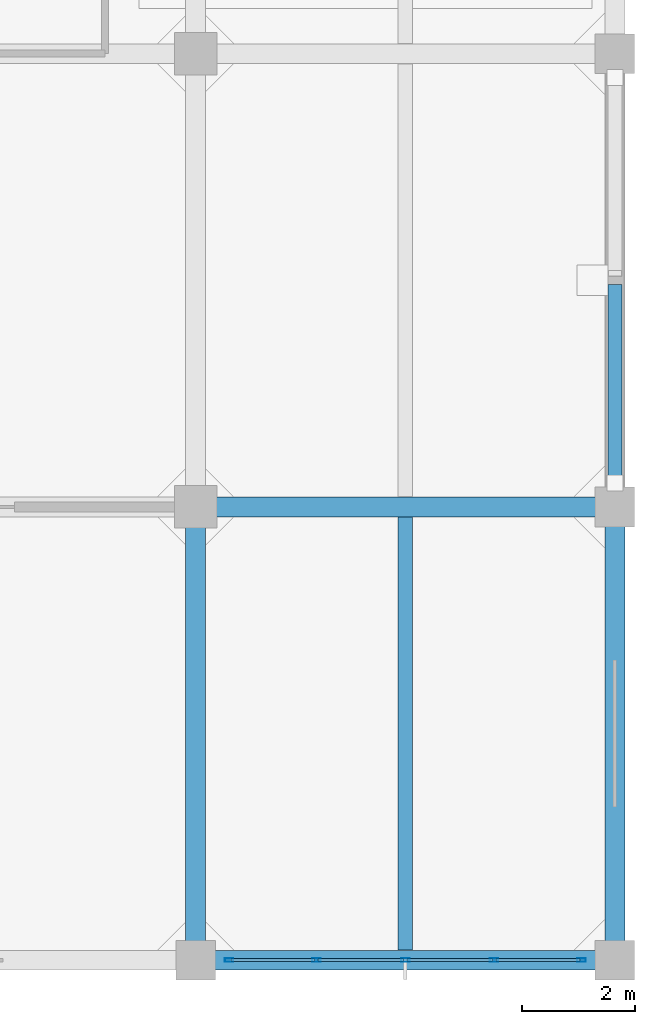
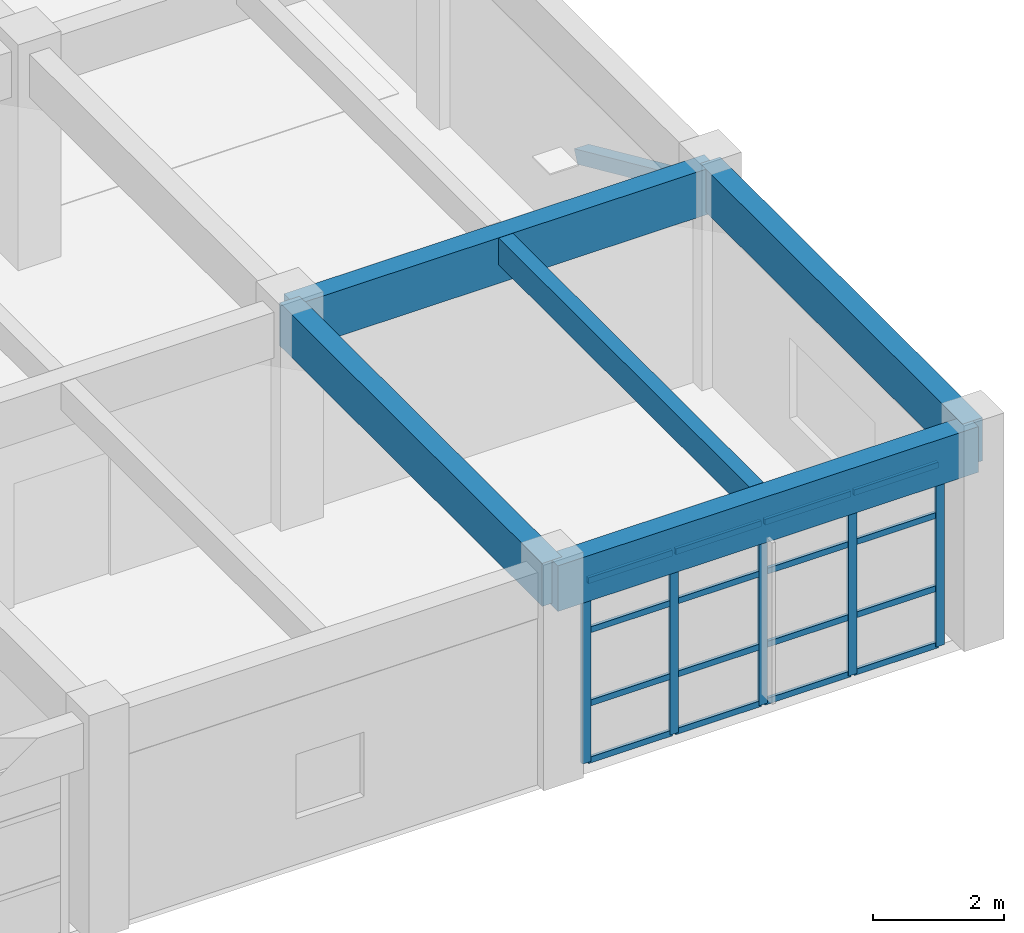
# One storey, part 10 of 27: 22 members, 5 beams, 1 element without a shape of its own.
"""IFC4 building model written with IfcOpenShell, lengths in metres."""

from ifc_helpers import new_model, si_unit, direction, frame, origin, origin_2d, place, context, subcontext, project, spatial, rectangle, hollow_rectangle, extrude, material, layer, layer_set, material_profile, profile_set, type_object, element, aggregate, save


model = new_model("IFC4")

# Units and contexts
model_context = context("Model", 3, precision=1e-05, world=origin(), true_north=direction((0.0, 1.0)))
body_context = subcontext(model_context, "Body", "Model", "MODEL_VIEW")
ifc_project = project(units=[si_unit("LENGTHUNIT", "METRE"), si_unit("AREAUNIT", "SQUARE_METRE"), si_unit("VOLUMEUNIT", "CUBIC_METRE"), si_unit("PLANEANGLEUNIT", "RADIAN"), si_unit("MASSUNIT", "GRAM", prefix="KILO")], contexts=[model_context])

# Site, building, storey
site_placement = place(None, origin())
site = spatial("IfcSite", under=ifc_project, at=site_placement, CompositionType="ELEMENT")
building_placement = place(site_placement, origin())
building = spatial("IfcBuilding", under=site, at=building_placement, Name="Canggui Botanical Conservatory", CompositionType="ELEMENT")
storey_placement = place(building_placement, frame((0.0, 0.0, 36.0)))
storey = spatial("IfcBuildingStorey", under=building, at=storey_placement, Name="L09", CompositionType="ELEMENT", Elevation=36.0)

# Beams
ifc_material_1 = material(Name="Concrete C35", Category="concrete")
ifc_material_profile_1 = material_profile(ifc_material_1, rectangle(XDim=0.25, YDim=0.5, at=origin_2d()), Name="RB 250x500")
ifc_profile_set_1 = profile_set([ifc_material_profile_1], Name="Concrete C35")
beam_type_1 = type_object("IfcBeamType", Name="BM-JST04", PredefinedType="JOIST", material=ifc_profile_set_1)
beam_placement = place(storey_placement, frame((173.699951171875, 34.179931640625, 3.7099609375), z_axis=(0.0, 1.0, 0.0), x_axis=(-1.0, 0.0, 0.0)))
element("IfcBeam", 1, at=beam_placement, inside=storey, type_object=beam_type_1, Name="Secondary Floor Joist L09-4-1", PredefinedType="JOIST", context=body_context, shape_type="SweptSolid", body=[
    extrude(rectangle(XDim=0.25, YDim=0.5, at=origin_2d()), origin(), (0.0, 0.0, 1.0), 7.64013671875),
])
ifc_material_profile_2 = material_profile(ifc_material_1, rectangle(XDim=0.35009765625, YDim=0.85009765625, at=origin_2d()), Name="RB 350x850")
ifc_profile_set_2 = profile_set([ifc_material_profile_2], Name="Concrete C35")
beam_type_2 = type_object("IfcBeamType", Name="BM-KL14", PredefinedType="BEAM", material=ifc_profile_set_2)
for number, where, z_axis, x_axis, name in (
    (2, (170.0, 34.0, 3.534912109375), (1.0, 0.0, 0.0), (0.0, 1.0, 0.0), "Frame Girder L09 Y34-4"),
    (3, (170.0, 42.0, 3.534912109375), (1.0, 0.0, 0.0), (0.0, 1.0, 0.0), "Frame Girder L09 Y42-4"),
):
    element("IfcBeam", number, at=place(storey_placement, frame(where, z_axis=z_axis, x_axis=x_axis)), inside=storey, type_object=beam_type_2, Name=name, PredefinedType="BEAM", context=body_context, shape_type="SweptSolid", body=[
        extrude(rectangle(XDim=0.35009765625, YDim=0.85009765625, at=origin_2d()), origin(), (0.0, 0.0, 1.0), 7.39990234375),
    ])
ifc_material_profile_3 = material_profile(ifc_material_1, rectangle(XDim=0.35009765625, YDim=0.800048828125, at=origin_2d()), Name="RB 350x800")
ifc_profile_set_3 = profile_set([ifc_material_profile_3], Name="Concrete C35")
beam_type_3 = type_object("IfcBeamType", Name="BM-KL15", PredefinedType="BEAM", material=ifc_profile_set_3)
for number, where, z_axis, x_axis, name in (
    (4, (170.0, 34.0, 3.56005859375), (0.0, 1.0, 0.0), (-1.0, 0.0, 0.0), "Frame Girder L09 X170-1"),
    (5, (177.39990234375, 34.0, 3.56005859375), (0.0, 1.0, 0.0), (-1.0, 0.0, 0.0), "Frame Girder L09 X178-1"),
):
    element("IfcBeam", number, at=place(storey_placement, frame(where, z_axis=z_axis, x_axis=x_axis)), inside=storey, type_object=beam_type_3, Name=name, PredefinedType="BEAM", context=body_context, shape_type="SweptSolid", body=[
        extrude(rectangle(XDim=0.35009765625, YDim=0.800048828125, at=origin_2d()), origin(), (0.0, 0.0, 1.0), 8.0),
    ])

# Curtain wall, members
ifc_material_2 = material(Name="Thermally Broken Aluminium", Category="aluminium")
ifc_layer = layer(ifc_material_2, 0.14990234375, Name="Thermally Broken Aluminium", Category="aluminium")
ifc_layer_set = layer_set([ifc_layer], Name="Thermally Broken Aluminium")
curtain_wall_type = type_object("IfcCurtainWallType", Name="CW-UNIT-C", PredefinedType="USERDEFINED", material=ifc_layer_set)
curtain_wall_placement = place(storey_placement, origin())
curtain_wall = element("IfcCurtainWall", 6, at=curtain_wall_placement, inside=storey, type_object=curtain_wall_type, Name="Facade Curtain Wall CW-TWR-L09-01", ObjectType="UNITISED CURTAIN WALL", PredefinedType="USERDEFINED")
ifc_material_profile_4 = material_profile(ifc_material_2, hollow_rectangle(XDim=0.06005859375, YDim=0.14990234375, WallThickness=0.00341796875, at=origin_2d()), Name="CWM 60x150x3.5")
ifc_profile_set_4 = profile_set([ifc_material_profile_4], Name="Thermally Broken Aluminium")
member_type_1 = type_object("IfcMemberType", Name="CWM-03", PredefinedType="MULLION", material=ifc_profile_set_4)
member_1_placement = place(storey_placement, frame((176.81005859375, 34.0, 0.0), z_axis=(0.0, 0.0, 1.0), x_axis=(0.0, -1.0, 0.0)))
member_1 = element("IfcMember", 7, at=member_1_placement, type_object=member_type_1, Name="CW-03 mullion 1", PredefinedType="MULLION", context=body_context, shape_type="SweptSolid", body=[
    extrude(hollow_rectangle(XDim=0.06005859375, YDim=0.14990234375, WallThickness=0.00341796875, at=origin_2d()), origin(), (0.0, 0.0, 1.0), 3.39990234375),
])
member_2_placement = place(storey_placement, frame((175.27001953125, 34.0, 0.0), z_axis=(0.0, 0.0, 1.0), x_axis=(0.0, -1.0, 0.0)))
member_2 = element("IfcMember", 8, at=member_2_placement, type_object=member_type_1, Name="CW-03 mullion 2", PredefinedType="MULLION", context=body_context, shape_type="SweptSolid", body=[
    extrude(hollow_rectangle(XDim=0.06005859375, YDim=0.14990234375, WallThickness=0.00341796875, at=origin_2d()), origin(), (0.0, 0.0, 1.0), 3.39990234375),
])
member_3_placement = place(storey_placement, frame((173.699951171875, 34.0, 0.0), z_axis=(0.0, 0.0, 1.0), x_axis=(0.0, -1.0, 0.0)))
member_3 = element("IfcMember", 9, at=member_3_placement, type_object=member_type_1, Name="CW-03 mullion 3", PredefinedType="MULLION", context=body_context, shape_type="SweptSolid", body=[
    extrude(hollow_rectangle(XDim=0.06005859375, YDim=0.14990234375, WallThickness=0.00341796875, at=origin_2d()), origin(), (0.0, 0.0, 1.0), 3.39990234375),
])
member_4_placement = place(storey_placement, frame((172.1298828125, 34.0, 0.0), z_axis=(0.0, 0.0, 1.0), x_axis=(0.0, -1.0, 0.0)))
member_4 = element("IfcMember", 10, at=member_4_placement, type_object=member_type_1, Name="CW-03 mullion 4", PredefinedType="MULLION", context=body_context, shape_type="SweptSolid", body=[
    extrude(hollow_rectangle(XDim=0.06005859375, YDim=0.14990234375, WallThickness=0.00341796875, at=origin_2d()), origin(), (0.0, 0.0, 1.0), 3.39990234375),
])
member_5_placement = place(storey_placement, frame((170.590087890625, 34.0, 0.0), z_axis=(0.0, 0.0, 1.0), x_axis=(0.0, -1.0, 0.0)))
member_5 = element("IfcMember", 11, at=member_5_placement, type_object=member_type_1, Name="CW-03 mullion 5", PredefinedType="MULLION", context=body_context, shape_type="SweptSolid", body=[
    extrude(hollow_rectangle(XDim=0.06005859375, YDim=0.14990234375, WallThickness=0.00341796875, at=origin_2d()), origin(), (0.0, 0.0, 1.0), 3.39990234375),
])
ifc_material_profile_5 = material_profile(ifc_material_2, hollow_rectangle(XDim=0.054931640625, YDim=0.110107421875, WallThickness=0.0029296875, at=origin_2d()), Name="CWT 55x110x3")
ifc_profile_set_5 = profile_set([ifc_material_profile_5], Name="Thermally Broken Aluminium")
member_type_2 = type_object("IfcMemberType", Name="CWT-03", PredefinedType="USERDEFINED", material=ifc_profile_set_5)
member_6_placement = place(storey_placement, frame((176.780029296875, 34.0, 0.027587890625), z_axis=(-1.0, 0.0, 0.0), x_axis=(0.0, -1.0, 0.0)))
member_6 = element("IfcMember", 12, at=member_6_placement, type_object=member_type_2, Name="CW-03 transom 1.1", ObjectType="TRANSOM", PredefinedType="USERDEFINED", context=body_context, shape_type="SweptSolid", body=[
    extrude(hollow_rectangle(XDim=0.054931640625, YDim=0.110107421875, WallThickness=0.0029296875, at=origin_2d()), origin(), (0.0, 0.0, 1.0), 1.47998046875),
])
member_7_placement = place(storey_placement, frame((176.780029296875, 34.0, 1.087890625), z_axis=(-1.0, 0.0, 0.0), x_axis=(0.0, -1.0, 0.0)))
member_7 = element("IfcMember", 13, at=member_7_placement, type_object=member_type_2, Name="CW-03 transom 1.2", ObjectType="TRANSOM", PredefinedType="USERDEFINED", context=body_context, shape_type="SweptSolid", body=[
    extrude(hollow_rectangle(XDim=0.054931640625, YDim=0.110107421875, WallThickness=0.0029296875, at=origin_2d()), origin(), (0.0, 0.0, 1.0), 1.47998046875),
])
member_8_placement = place(storey_placement, frame((176.780029296875, 34.0, 2.447998046875), z_axis=(-1.0, 0.0, 0.0), x_axis=(0.0, -1.0, 0.0)))
member_8 = element("IfcMember", 14, at=member_8_placement, type_object=member_type_2, Name="CW-03 transom 1.3", ObjectType="TRANSOM", PredefinedType="USERDEFINED", context=body_context, shape_type="SweptSolid", body=[
    extrude(hollow_rectangle(XDim=0.054931640625, YDim=0.110107421875, WallThickness=0.0029296875, at=origin_2d()), origin(), (0.0, 0.0, 1.0), 1.47998046875),
])
member_9_placement = place(storey_placement, frame((176.780029296875, 34.0, 3.37255859375), z_axis=(-1.0, 0.0, 0.0), x_axis=(0.0, -1.0, 0.0)))
member_9 = element("IfcMember", 15, at=member_9_placement, type_object=member_type_2, Name="CW-03 transom 1.4", ObjectType="TRANSOM", PredefinedType="USERDEFINED", context=body_context, shape_type="SweptSolid", body=[
    extrude(hollow_rectangle(XDim=0.054931640625, YDim=0.110107421875, WallThickness=0.0029296875, at=origin_2d()), origin(), (0.0, 0.0, 1.0), 1.47998046875),
])
member_10_placement = place(storey_placement, frame((175.239990234375, 34.0, 0.027587890625), z_axis=(-1.0, 0.0, 0.0), x_axis=(0.0, -1.0, 0.0)))
member_10 = element("IfcMember", 16, at=member_10_placement, type_object=member_type_2, Name="CW-03 transom 2.1", ObjectType="TRANSOM", PredefinedType="USERDEFINED", context=body_context, shape_type="SweptSolid", body=[
    extrude(hollow_rectangle(XDim=0.054931640625, YDim=0.110107421875, WallThickness=0.0029296875, at=origin_2d()), origin(), (0.0, 0.0, 1.0), 1.510009765625),
])
member_11_placement = place(storey_placement, frame((175.239990234375, 34.0, 1.087890625), z_axis=(-1.0, 0.0, 0.0), x_axis=(0.0, -1.0, 0.0)))
member_11 = element("IfcMember", 17, at=member_11_placement, type_object=member_type_2, Name="CW-03 transom 2.2", ObjectType="TRANSOM", PredefinedType="USERDEFINED", context=body_context, shape_type="SweptSolid", body=[
    extrude(hollow_rectangle(XDim=0.054931640625, YDim=0.110107421875, WallThickness=0.0029296875, at=origin_2d()), origin(), (0.0, 0.0, 1.0), 1.510009765625),
])
member_12_placement = place(storey_placement, frame((175.239990234375, 34.0, 2.447998046875), z_axis=(-1.0, 0.0, 0.0), x_axis=(0.0, -1.0, 0.0)))
member_12 = element("IfcMember", 18, at=member_12_placement, type_object=member_type_2, Name="CW-03 transom 2.3", ObjectType="TRANSOM", PredefinedType="USERDEFINED", context=body_context, shape_type="SweptSolid", body=[
    extrude(hollow_rectangle(XDim=0.054931640625, YDim=0.110107421875, WallThickness=0.0029296875, at=origin_2d()), origin(), (0.0, 0.0, 1.0), 1.510009765625),
])
member_13_placement = place(storey_placement, frame((175.239990234375, 34.0, 3.37255859375), z_axis=(-1.0, 0.0, 0.0), x_axis=(0.0, -1.0, 0.0)))
member_13 = element("IfcMember", 19, at=member_13_placement, type_object=member_type_2, Name="CW-03 transom 2.4", ObjectType="TRANSOM", PredefinedType="USERDEFINED", context=body_context, shape_type="SweptSolid", body=[
    extrude(hollow_rectangle(XDim=0.054931640625, YDim=0.110107421875, WallThickness=0.0029296875, at=origin_2d()), origin(), (0.0, 0.0, 1.0), 1.510009765625),
])
member_14_placement = place(storey_placement, frame((173.669921875, 34.0, 0.027587890625), z_axis=(-1.0, 0.0, 0.0), x_axis=(0.0, -1.0, 0.0)))
member_14 = element("IfcMember", 20, at=member_14_placement, type_object=member_type_2, Name="CW-03 transom 3.1", ObjectType="TRANSOM", PredefinedType="USERDEFINED", context=body_context, shape_type="SweptSolid", body=[
    extrude(hollow_rectangle(XDim=0.054931640625, YDim=0.110107421875, WallThickness=0.0029296875, at=origin_2d()), origin(), (0.0, 0.0, 1.0), 1.510009765625),
])
member_15_placement = place(storey_placement, frame((173.669921875, 34.0, 1.087890625), z_axis=(-1.0, 0.0, 0.0), x_axis=(0.0, -1.0, 0.0)))
member_15 = element("IfcMember", 21, at=member_15_placement, type_object=member_type_2, Name="CW-03 transom 3.2", ObjectType="TRANSOM", PredefinedType="USERDEFINED", context=body_context, shape_type="SweptSolid", body=[
    extrude(hollow_rectangle(XDim=0.054931640625, YDim=0.110107421875, WallThickness=0.0029296875, at=origin_2d()), origin(), (0.0, 0.0, 1.0), 1.510009765625),
])
member_16_placement = place(storey_placement, frame((173.669921875, 34.0, 2.447998046875), z_axis=(-1.0, 0.0, 0.0), x_axis=(0.0, -1.0, 0.0)))
member_16 = element("IfcMember", 22, at=member_16_placement, type_object=member_type_2, Name="CW-03 transom 3.3", ObjectType="TRANSOM", PredefinedType="USERDEFINED", context=body_context, shape_type="SweptSolid", body=[
    extrude(hollow_rectangle(XDim=0.054931640625, YDim=0.110107421875, WallThickness=0.0029296875, at=origin_2d()), origin(), (0.0, 0.0, 1.0), 1.510009765625),
])
member_17_placement = place(storey_placement, frame((173.669921875, 34.0, 3.37255859375), z_axis=(-1.0, 0.0, 0.0), x_axis=(0.0, -1.0, 0.0)))
member_17 = element("IfcMember", 23, at=member_17_placement, type_object=member_type_2, Name="CW-03 transom 3.4", ObjectType="TRANSOM", PredefinedType="USERDEFINED", context=body_context, shape_type="SweptSolid", body=[
    extrude(hollow_rectangle(XDim=0.054931640625, YDim=0.110107421875, WallThickness=0.0029296875, at=origin_2d()), origin(), (0.0, 0.0, 1.0), 1.510009765625),
])
member_18_placement = place(storey_placement, frame((172.10009765625, 34.0, 0.027587890625), z_axis=(-1.0, 0.0, 0.0), x_axis=(0.0, -1.0, 0.0)))
member_18 = element("IfcMember", 24, at=member_18_placement, type_object=member_type_2, Name="CW-03 transom 4.1", ObjectType="TRANSOM", PredefinedType="USERDEFINED", context=body_context, shape_type="SweptSolid", body=[
    extrude(hollow_rectangle(XDim=0.054931640625, YDim=0.110107421875, WallThickness=0.0029296875, at=origin_2d()), origin(), (0.0, 0.0, 1.0), 1.47998046875),
])
member_19_placement = place(storey_placement, frame((172.10009765625, 34.0, 1.087890625), z_axis=(-1.0, 0.0, 0.0), x_axis=(0.0, -1.0, 0.0)))
member_19 = element("IfcMember", 25, at=member_19_placement, type_object=member_type_2, Name="CW-03 transom 4.2", ObjectType="TRANSOM", PredefinedType="USERDEFINED", context=body_context, shape_type="SweptSolid", body=[
    extrude(hollow_rectangle(XDim=0.054931640625, YDim=0.110107421875, WallThickness=0.0029296875, at=origin_2d()), origin(), (0.0, 0.0, 1.0), 1.47998046875),
])
member_20_placement = place(storey_placement, frame((172.10009765625, 34.0, 2.447998046875), z_axis=(-1.0, 0.0, 0.0), x_axis=(0.0, -1.0, 0.0)))
member_20 = element("IfcMember", 26, at=member_20_placement, type_object=member_type_2, Name="CW-03 transom 4.3", ObjectType="TRANSOM", PredefinedType="USERDEFINED", context=body_context, shape_type="SweptSolid", body=[
    extrude(hollow_rectangle(XDim=0.054931640625, YDim=0.110107421875, WallThickness=0.0029296875, at=origin_2d()), origin(), (0.0, 0.0, 1.0), 1.47998046875),
])
member_21_placement = place(storey_placement, frame((172.10009765625, 34.0, 3.37255859375), z_axis=(-1.0, 0.0, 0.0), x_axis=(0.0, -1.0, 0.0)))
member_21 = element("IfcMember", 27, at=member_21_placement, type_object=member_type_2, Name="CW-03 transom 4.4", ObjectType="TRANSOM", PredefinedType="USERDEFINED", context=body_context, shape_type="SweptSolid", body=[
    extrude(hollow_rectangle(XDim=0.054931640625, YDim=0.110107421875, WallThickness=0.0029296875, at=origin_2d()), origin(), (0.0, 0.0, 1.0), 1.47998046875),
])
aggregate(curtain_wall, [member_1, member_2, member_3, member_4, member_5, member_6, member_7, member_8, member_9, member_10, member_11, member_12, member_13, member_14, member_15, member_16, member_17, member_18, member_19, member_20, member_21])

# Member
ifc_material_3 = material(Name="Steel Q355B", Category="steel")
ifc_material_profile_6 = material_profile(ifc_material_3, hollow_rectangle(XDim=0.25, YDim=0.25, WallThickness=0.010009765625, at=origin_2d()), Name="SHS 250x250x10")
ifc_profile_set_6 = profile_set([ifc_material_profile_6], Name="Steel Q355B")
member_type_3 = type_object("IfcMemberType", Name="MEM-ZC01", PredefinedType="BRACE", material=ifc_profile_set_6)
member_22_placement = place(storey_placement, frame((177.39990234375, 45.876953125, 1.720458984375), z_axis=(0.0, -0.911535661996, 0.411221031697), x_axis=(1.0, 0.0, 0.0)))
element("IfcMember", 28, at=member_22_placement, inside=storey, type_object=member_type_3, Name="Seismic Concentric X-Brace Upper Split Diagonal L09-B2", PredefinedType="BRACE", context=body_context, shape_type="SweptSolid", body=[
    extrude(hollow_rectangle(XDim=0.25, YDim=0.25, WallThickness=0.010009765625, at=origin_2d()), origin(), (0.0, 0.0, 1.0), 3.79248046875),
])

save(model, "model.ifc")
